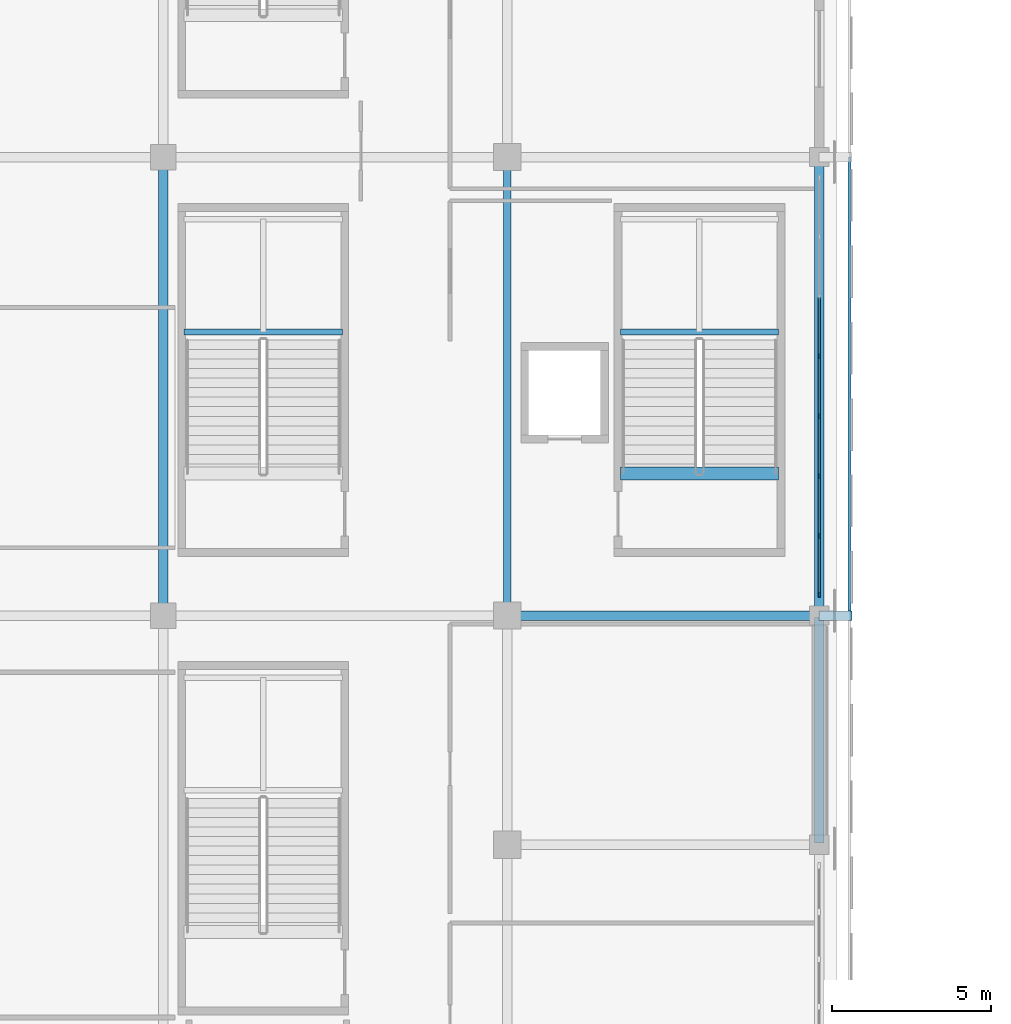
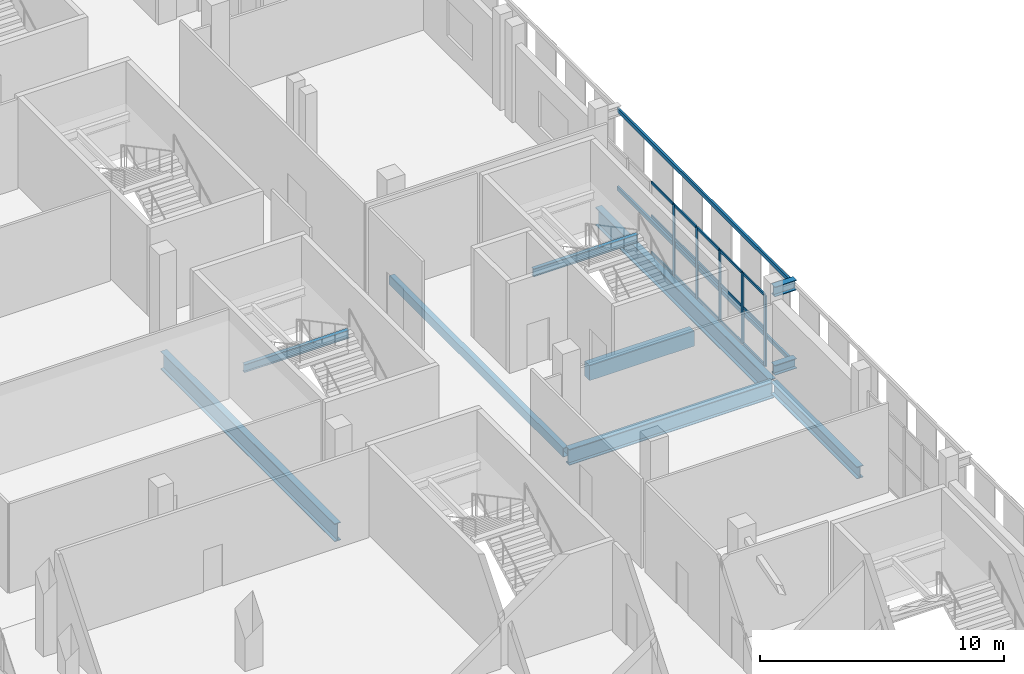
# One storey, part 51 of 142: 22 members, 10 beams, 1 element without a shape of its own.
"""IFC4 building model written with IfcOpenShell, lengths in metres."""

from ifc_helpers import new_model, si_unit, direction, frame, origin, origin_2d, place, context, subcontext, project, spatial, rectangle, hollow_rectangle, i_section, extrude, material, material_profile, profile_set, type_object, element, aggregate, save


model = new_model("IFC4")

# Units and contexts
model_context = context("Model", 3, precision=1e-05, world=origin(), true_north=direction((0.0, 1.0)))
body_context = subcontext(model_context, "Body", "Model", "MODEL_VIEW")
ifc_project = project(units=[si_unit("LENGTHUNIT", "METRE"), si_unit("AREAUNIT", "SQUARE_METRE"), si_unit("VOLUMEUNIT", "CUBIC_METRE"), si_unit("PLANEANGLEUNIT", "RADIAN"), si_unit("MASSUNIT", "GRAM", prefix="KILO")], contexts=[model_context])

# Site, building, storey
site_placement = place(None, origin())
site = spatial("IfcSite", under=ifc_project, at=site_placement, CompositionType="ELEMENT")
building_placement = place(site_placement, origin())
building = spatial("IfcBuilding", under=site, at=building_placement, Name="Koshinbarg Plaza Stadium", CompositionType="ELEMENT")
storey_placement = place(building_placement, frame((0.0, 0.0, 10.199951171875)))
storey = spatial("IfcBuildingStorey", under=building, at=storey_placement, Name="L02", CompositionType="ELEMENT", Elevation=10.199951171875)

# Beams
ifc_material_1 = material(Name="Steel S355", Category="steel")
ifc_material_profile_1 = material_profile(ifc_material_1, i_section(OverallWidth=0.300048828125, OverallDepth=0.5, WebThickness=0.014404296875, FlangeThickness=0.028076171875, at=origin_2d()), Name="HEB 500")
ifc_profile_set_1 = profile_set([ifc_material_profile_1], Name="Steel S355")
beam_type_1 = type_object("IfcBeamType", Name="BM-CANOPY-CANT", PredefinedType="BEAM", material=ifc_profile_set_1)
for number, where, z_axis, x_axis, name in (
    (1, (218.39990234375, 54.300048828125, 0.25), (1.0, 0.0, 0.0), (0.0, 1.0, 0.0), "Outer screen cantilever outrigger E-L02-Y03"),
    (2, (218.39990234375, 54.300048828125, 4.179931640625), (1.0, 0.0, 0.0), (0.0, 1.0, 0.0), "Outer screen cantilever outrigger E-L02-Y03"),
):
    element("IfcBeam", number, at=place(storey_placement, frame(where, z_axis=z_axis, x_axis=x_axis)), inside=storey, type_object=beam_type_1, Name=name, PredefinedType="BEAM", context=body_context, shape_type="SweptSolid", body=[
        extrude(i_section(OverallWidth=0.300048828125, OverallDepth=0.5, WebThickness=0.014404296875, FlangeThickness=0.028076171875, at=origin_2d()), origin(), (0.0, 0.0, 1.0), 1.030029296875),
    ])
ifc_material_2 = material(Name="Concrete C40/50", Category="concrete")
ifc_material_profile_2 = material_profile(ifc_material_2, rectangle(XDim=0.39990234375, YDim=0.75, at=origin_2d()), Name="RC 400x750")
ifc_profile_set_2 = profile_set([ifc_material_profile_2], Name="Concrete C40/50")
beam_type_2 = type_object("IfcBeamType", Name="BM-RCG-03", PredefinedType="USERDEFINED", material=ifc_profile_set_2)
beam_1_placement = place(storey_placement, frame((212.14990234375, 58.760009765625, -0.375), z_axis=(1.0, 0.0, 0.0), x_axis=(0.0, 1.0, 0.0)))
element("IfcBeam", 3, at=beam_1_placement, inside=storey, type_object=beam_type_2, Name="L02 stair landing header beam C08", ObjectType="GIRDER", PredefinedType="USERDEFINED", context=body_context, shape_type="SweptSolid", body=[
    extrude(rectangle(XDim=0.39990234375, YDim=0.75, at=origin_2d()), origin(), (0.0, 0.0, 1.0), 4.97021484375),
])
ifc_material_profile_3 = material_profile(ifc_material_1, i_section(OverallWidth=0.179931640625, OverallDepth=0.39990234375, WebThickness=0.008544921875, FlangeThickness=0.013427734375, at=origin_2d()), Name="IPE 400")
ifc_profile_set_3 = profile_set([ifc_material_profile_3], Name="Steel S355")
beam_type_3 = type_object("IfcBeamType", Name="BM-SBM-01", PredefinedType="BEAM", material=ifc_profile_set_3)
beam_2_placement = place(storey_placement, frame((212.14990234375, 63.2099609375, 1.880126953125), z_axis=(1.0, 0.0, 0.0), x_axis=(0.0, 1.0, 0.0)))
element("IfcBeam", 4, at=beam_2_placement, inside=storey, type_object=beam_type_3, Name="L02 Protected Exit Stair C08 landing trimmer beam 1", PredefinedType="BEAM", context=body_context, shape_type="SweptSolid", body=[
    extrude(i_section(OverallWidth=0.179931640625, OverallDepth=0.39990234375, WebThickness=0.008544921875, FlangeThickness=0.013427734375, at=origin_2d()), origin(), (0.0, 0.0, 1.0), 4.97021484375),
])
beam_3_placement = place(storey_placement, frame((198.449951171875, 63.2099609375, 1.880126953125), z_axis=(1.0, 0.0, 0.0), x_axis=(0.0, 1.0, 0.0)))
element("IfcBeam", 5, at=beam_3_placement, inside=storey, type_object=beam_type_3, Name="L02 Upper Vomitory Stair VX09 landing trimmer beam 1", PredefinedType="BEAM", context=body_context, shape_type="SweptSolid", body=[
    extrude(i_section(OverallWidth=0.179931640625, OverallDepth=0.39990234375, WebThickness=0.008544921875, FlangeThickness=0.013427734375, at=origin_2d()), origin(), (0.0, 0.0, 1.0), 4.969970703125),
])
ifc_material_profile_4 = material_profile(ifc_material_1, i_section(OverallWidth=0.300048828125, OverallDepth=0.60009765625, WebThickness=0.015380859375, FlangeThickness=0.030029296875, at=origin_2d()), Name="HEB 600")
ifc_profile_set_4 = profile_set([ifc_material_profile_4], Name="Steel S355")
beam_type_4 = type_object("IfcBeamType", Name="BM-SGIR-02", PredefinedType="USERDEFINED", material=ifc_profile_set_4)
beam_4_placement = place(storey_placement, frame((218.39990234375, 47.159912109375, -0.599853515625), z_axis=(0.0, 1.0, 0.0), x_axis=(-1.0, 0.0, 0.0)))
element("IfcBeam", 6, at=beam_4_placement, inside=storey, type_object=beam_type_4, Name="L02 Y girder 21/G-H", ObjectType="GIRDER", PredefinedType="USERDEFINED", context=body_context, shape_type="SweptSolid", body=[
    extrude(i_section(OverallWidth=0.300048828125, OverallDepth=0.60009765625, WebThickness=0.015380859375, FlangeThickness=0.030029296875, at=origin_2d()), origin(), (0.0, 0.0, 1.0), 7.080078125),
])
ifc_material_profile_5 = material_profile(ifc_material_1, i_section(OverallWidth=0.300048828125, OverallDepth=0.800048828125, WebThickness=0.017578125, FlangeThickness=0.032958984375, at=origin_2d()), Name="HEB 800")
ifc_profile_set_5 = profile_set([ifc_material_profile_5], Name="Steel S355")
beam_type_5 = type_object("IfcBeamType", Name="BM-SGIR-04", PredefinedType="USERDEFINED", material=ifc_profile_set_5)
beam_5_placement = place(storey_placement, frame((208.659912109375, 54.300048828125, -0.699951171875), z_axis=(1.0, 0.0, 0.0), x_axis=(0.0, 1.0, 0.0)))
element("IfcBeam", 7, at=beam_5_placement, inside=storey, type_object=beam_type_5, Name="L02 X girder H/20-21", ObjectType="GIRDER", PredefinedType="USERDEFINED", context=body_context, shape_type="SweptSolid", body=[
    extrude(i_section(OverallWidth=0.300048828125, OverallDepth=0.800048828125, WebThickness=0.017578125, FlangeThickness=0.032958984375, at=origin_2d()), origin(), (0.0, 0.0, 1.0), 9.68017578125),
])
ifc_material_profile_6 = material_profile(ifc_material_1, i_section(OverallWidth=0.300048828125, OverallDepth=0.89990234375, WebThickness=0.0185546875, FlangeThickness=0.034912109375, at=origin_2d()), Name="HEB 900")
ifc_profile_set_6 = profile_set([ifc_material_profile_6], Name="Steel S355")
beam_type_6 = type_object("IfcBeamType", Name="BM-SGIR-05", PredefinedType="USERDEFINED", material=ifc_profile_set_6)
for number, where, z_axis, x_axis, name in (
    (8, (197.800048828125, 54.360107421875, -0.75), (0.0, 1.0, 0.0), (-1.0, 0.0, 0.0), "L02 Y girder 19/H-J"),
    (9, (218.39990234375, 54.360107421875, -0.75), (0.0, 1.0, 0.0), (-1.0, 0.0, 0.0), "L02 Y girder 21/H-J"),
):
    element("IfcBeam", number, at=place(storey_placement, frame(where, z_axis=z_axis, x_axis=x_axis)), inside=storey, type_object=beam_type_6, Name=name, ObjectType="GIRDER", PredefinedType="USERDEFINED", context=body_context, shape_type="SweptSolid", body=[
        extrude(i_section(OverallWidth=0.300048828125, OverallDepth=0.89990234375, WebThickness=0.0185546875, FlangeThickness=0.034912109375, at=origin_2d()), origin(), (0.0, 0.0, 1.0), 14.27978515625),
    ])
ifc_material_profile_7 = material_profile(ifc_material_1, hollow_rectangle(XDim=0.25, YDim=0.449951171875, WallThickness=0.01611328125, at=origin_2d()), Name="RHS 450x250x16")
ifc_profile_set_7 = profile_set([ifc_material_profile_7], Name="Steel S355")
beam_type_7 = type_object("IfcBeamType", Name="BM-SGIR-06", PredefinedType="USERDEFINED", material=ifc_profile_set_7)
beam_6_placement = place(storey_placement, frame((208.60009765625, 54.360107421875, -0.52490234375), z_axis=(0.0, 1.0, 0.0), x_axis=(-1.0, 0.0, 0.0)))
element("IfcBeam", 10, at=beam_6_placement, inside=storey, type_object=beam_type_7, Name="L02 Y girder 20/H-J", ObjectType="GIRDER", PredefinedType="USERDEFINED", context=body_context, shape_type="SweptSolid", body=[
    extrude(hollow_rectangle(XDim=0.25, YDim=0.449951171875, WallThickness=0.01611328125, at=origin_2d()), origin(), (0.0, 0.0, 1.0), 14.27978515625),
])

# Curtain wall, members
ifc_material_3 = material(Name="Thermally broken anodised aluminium and low-E double glazing", Category="aluminium")
curtain_wall_type = type_object("IfcCurtainWallType", Name="CW-SYS-10", PredefinedType="NOTDEFINED", material=ifc_material_3)
curtain_wall_placement = place(storey_placement, origin())
curtain_wall = element("IfcCurtainWall", 11, at=curtain_wall_placement, inside=storey, type_object=curtain_wall_type, Name="L02 unitised curtain wall CW-L02-057", PredefinedType="NOTDEFINED")
ifc_material_4 = material(Name="Anodised aluminium mullion", Category="aluminium")
ifc_material_profile_8 = material_profile(ifc_material_4, rectangle(XDim=0.06005859375, YDim=0.159912109375, at=origin_2d()), Name="ALU 60x160")
ifc_profile_set_8 = profile_set([ifc_material_profile_8], Name="Anodised aluminium mullion")
member_type_1 = type_object("IfcMemberType", Name="CW-MUL-02", PredefinedType="MULLION", material=ifc_profile_set_8)
member_1_placement = place(storey_placement, frame((218.39990234375, 62.43994140625, 0.0), z_axis=(0.0, 0.0, 1.0), x_axis=(1.0, 0.0, 0.0)))
member_1 = element("IfcMember", 12, at=member_1_placement, type_object=member_type_1, Name="CW10 mullion 4", PredefinedType="MULLION", context=body_context, shape_type="SweptSolid", body=[
    extrude(rectangle(XDim=0.06005859375, YDim=0.159912109375, at=origin_2d()), origin(), (0.0, 0.0, 1.0), 3.56005859375),
])
member_2_placement = place(storey_placement, frame((218.39990234375, 60.56005859375, 0.0), z_axis=(0.0, 0.0, 1.0), x_axis=(1.0, 0.0, 0.0)))
member_2 = element("IfcMember", 13, at=member_2_placement, type_object=member_type_1, Name="CW10 mullion 5", PredefinedType="MULLION", context=body_context, shape_type="SweptSolid", body=[
    extrude(rectangle(XDim=0.06005859375, YDim=0.159912109375, at=origin_2d()), origin(), (0.0, 0.0, 1.0), 3.56005859375),
])
member_3_placement = place(storey_placement, frame((218.39990234375, 58.679931640625, 0.0), z_axis=(0.0, 0.0, 1.0), x_axis=(1.0, 0.0, 0.0)))
member_3 = element("IfcMember", 14, at=member_3_placement, type_object=member_type_1, Name="CW10 mullion 6", PredefinedType="MULLION", context=body_context, shape_type="SweptSolid", body=[
    extrude(rectangle(XDim=0.06005859375, YDim=0.159912109375, at=origin_2d()), origin(), (0.0, 0.0, 1.0), 3.56005859375),
])
member_4_placement = place(storey_placement, frame((218.39990234375, 56.800048828125, 0.0), z_axis=(0.0, 0.0, 1.0), x_axis=(1.0, 0.0, 0.0)))
member_4 = element("IfcMember", 15, at=member_4_placement, type_object=member_type_1, Name="CW10 mullion 7", PredefinedType="MULLION", context=body_context, shape_type="SweptSolid", body=[
    extrude(rectangle(XDim=0.06005859375, YDim=0.159912109375, at=origin_2d()), origin(), (0.0, 0.0, 1.0), 3.56005859375),
])
member_5_placement = place(storey_placement, frame((218.39990234375, 54.949951171875, 0.0), z_axis=(0.0, 0.0, 1.0), x_axis=(1.0, 0.0, 0.0)))
member_5 = element("IfcMember", 16, at=member_5_placement, type_object=member_type_1, Name="CW10 mullion 8", PredefinedType="MULLION", context=body_context, shape_type="SweptSolid", body=[
    extrude(rectangle(XDim=0.06005859375, YDim=0.159912109375, at=origin_2d()), origin(), (0.0, 0.0, 1.0), 3.56005859375),
])
ifc_material_5 = material(Name="Anodised aluminium transom", Category="aluminium")
ifc_material_profile_9 = material_profile(ifc_material_5, rectangle(XDim=0.06005859375, YDim=0.1298828125, at=origin_2d()), Name="ALU 60x130")
ifc_profile_set_9 = profile_set([ifc_material_profile_9], Name="Anodised aluminium transom")
member_type_2 = type_object("IfcMemberType", Name="CW-TRN-02", PredefinedType="USERDEFINED", material=ifc_profile_set_9)
member_6_placement = place(storey_placement, frame((218.39990234375, 64.2900390625, 0.030029296875), z_axis=(0.0, -1.0, 0.0), x_axis=(1.0, 0.0, 0.0)))
member_6 = element("IfcMember", 17, at=member_6_placement, type_object=member_type_2, Name="CW10 transom 3.1", ObjectType="TRANSOM", PredefinedType="USERDEFINED", context=body_context, shape_type="SweptSolid", body=[
    extrude(rectangle(XDim=0.06005859375, YDim=0.1298828125, at=origin_2d()), origin(), (0.0, 0.0, 1.0), 1.820068359375),
])
member_7_placement = place(storey_placement, frame((218.39990234375, 64.2900390625, 1.851318359375), z_axis=(0.0, -1.0, 0.0), x_axis=(1.0, 0.0, 0.0)))
member_7 = element("IfcMember", 18, at=member_7_placement, type_object=member_type_2, Name="CW10 transom 3.2", ObjectType="TRANSOM", PredefinedType="USERDEFINED", context=body_context, shape_type="SweptSolid", body=[
    extrude(rectangle(XDim=0.06005859375, YDim=0.1298828125, at=origin_2d()), origin(), (0.0, 0.0, 1.0), 1.820068359375),
])
member_8_placement = place(storey_placement, frame((218.39990234375, 64.2900390625, 3.530029296875), z_axis=(0.0, -1.0, 0.0), x_axis=(1.0, 0.0, 0.0)))
member_8 = element("IfcMember", 19, at=member_8_placement, type_object=member_type_2, Name="CW10 transom 3.3", ObjectType="TRANSOM", PredefinedType="USERDEFINED", context=body_context, shape_type="SweptSolid", body=[
    extrude(rectangle(XDim=0.06005859375, YDim=0.1298828125, at=origin_2d()), origin(), (0.0, 0.0, 1.0), 1.820068359375),
])
member_9_placement = place(storey_placement, frame((218.39990234375, 62.409912109375, 0.030029296875), z_axis=(0.0, -1.0, 0.0), x_axis=(1.0, 0.0, 0.0)))
member_9 = element("IfcMember", 20, at=member_9_placement, type_object=member_type_2, Name="CW10 transom 4.1", ObjectType="TRANSOM", PredefinedType="USERDEFINED", context=body_context, shape_type="SweptSolid", body=[
    extrude(rectangle(XDim=0.06005859375, YDim=0.1298828125, at=origin_2d()), origin(), (0.0, 0.0, 1.0), 1.81982421875),
])
member_10_placement = place(storey_placement, frame((218.39990234375, 62.409912109375, 1.851318359375), z_axis=(0.0, -1.0, 0.0), x_axis=(1.0, 0.0, 0.0)))
member_10 = element("IfcMember", 21, at=member_10_placement, type_object=member_type_2, Name="CW10 transom 4.2", ObjectType="TRANSOM", PredefinedType="USERDEFINED", context=body_context, shape_type="SweptSolid", body=[
    extrude(rectangle(XDim=0.06005859375, YDim=0.1298828125, at=origin_2d()), origin(), (0.0, 0.0, 1.0), 1.81982421875),
])
member_11_placement = place(storey_placement, frame((218.39990234375, 62.409912109375, 3.530029296875), z_axis=(0.0, -1.0, 0.0), x_axis=(1.0, 0.0, 0.0)))
member_11 = element("IfcMember", 22, at=member_11_placement, type_object=member_type_2, Name="CW10 transom 4.3", ObjectType="TRANSOM", PredefinedType="USERDEFINED", context=body_context, shape_type="SweptSolid", body=[
    extrude(rectangle(XDim=0.06005859375, YDim=0.1298828125, at=origin_2d()), origin(), (0.0, 0.0, 1.0), 1.81982421875),
])
member_12_placement = place(storey_placement, frame((218.39990234375, 60.530029296875, 0.030029296875), z_axis=(0.0, -1.0, 0.0), x_axis=(1.0, 0.0, 0.0)))
member_12 = element("IfcMember", 23, at=member_12_placement, type_object=member_type_2, Name="CW10 transom 5.1", ObjectType="TRANSOM", PredefinedType="USERDEFINED", context=body_context, shape_type="SweptSolid", body=[
    extrude(rectangle(XDim=0.06005859375, YDim=0.1298828125, at=origin_2d()), origin(), (0.0, 0.0, 1.0), 1.820068359375),
])
member_13_placement = place(storey_placement, frame((218.39990234375, 60.530029296875, 1.851318359375), z_axis=(0.0, -1.0, 0.0), x_axis=(1.0, 0.0, 0.0)))
member_13 = element("IfcMember", 24, at=member_13_placement, type_object=member_type_2, Name="CW10 transom 5.2", ObjectType="TRANSOM", PredefinedType="USERDEFINED", context=body_context, shape_type="SweptSolid", body=[
    extrude(rectangle(XDim=0.06005859375, YDim=0.1298828125, at=origin_2d()), origin(), (0.0, 0.0, 1.0), 1.820068359375),
])
member_14_placement = place(storey_placement, frame((218.39990234375, 60.530029296875, 3.530029296875), z_axis=(0.0, -1.0, 0.0), x_axis=(1.0, 0.0, 0.0)))
member_14 = element("IfcMember", 25, at=member_14_placement, type_object=member_type_2, Name="CW10 transom 5.3", ObjectType="TRANSOM", PredefinedType="USERDEFINED", context=body_context, shape_type="SweptSolid", body=[
    extrude(rectangle(XDim=0.06005859375, YDim=0.1298828125, at=origin_2d()), origin(), (0.0, 0.0, 1.0), 1.820068359375),
])
member_15_placement = place(storey_placement, frame((218.39990234375, 58.64990234375, 0.030029296875), z_axis=(0.0, -1.0, 0.0), x_axis=(1.0, 0.0, 0.0)))
member_15 = element("IfcMember", 26, at=member_15_placement, type_object=member_type_2, Name="CW10 transom 6.1", ObjectType="TRANSOM", PredefinedType="USERDEFINED", context=body_context, shape_type="SweptSolid", body=[
    extrude(rectangle(XDim=0.06005859375, YDim=0.1298828125, at=origin_2d()), origin(), (0.0, 0.0, 1.0), 1.81982421875),
])
member_16_placement = place(storey_placement, frame((218.39990234375, 58.64990234375, 1.851318359375), z_axis=(0.0, -1.0, 0.0), x_axis=(1.0, 0.0, 0.0)))
member_16 = element("IfcMember", 27, at=member_16_placement, type_object=member_type_2, Name="CW10 transom 6.2", ObjectType="TRANSOM", PredefinedType="USERDEFINED", context=body_context, shape_type="SweptSolid", body=[
    extrude(rectangle(XDim=0.06005859375, YDim=0.1298828125, at=origin_2d()), origin(), (0.0, 0.0, 1.0), 1.81982421875),
])
member_17_placement = place(storey_placement, frame((218.39990234375, 58.64990234375, 3.530029296875), z_axis=(0.0, -1.0, 0.0), x_axis=(1.0, 0.0, 0.0)))
member_17 = element("IfcMember", 28, at=member_17_placement, type_object=member_type_2, Name="CW10 transom 6.3", ObjectType="TRANSOM", PredefinedType="USERDEFINED", context=body_context, shape_type="SweptSolid", body=[
    extrude(rectangle(XDim=0.06005859375, YDim=0.1298828125, at=origin_2d()), origin(), (0.0, 0.0, 1.0), 1.81982421875),
])
member_18_placement = place(storey_placement, frame((218.39990234375, 56.77001953125, 0.030029296875), z_axis=(0.0, -1.0, 0.0), x_axis=(1.0, 0.0, 0.0)))
member_18 = element("IfcMember", 29, at=member_18_placement, type_object=member_type_2, Name="CW10 transom 7.1", ObjectType="TRANSOM", PredefinedType="USERDEFINED", context=body_context, shape_type="SweptSolid", body=[
    extrude(rectangle(XDim=0.06005859375, YDim=0.1298828125, at=origin_2d()), origin(), (0.0, 0.0, 1.0), 1.7900390625),
])
member_19_placement = place(storey_placement, frame((218.39990234375, 56.77001953125, 1.851318359375), z_axis=(0.0, -1.0, 0.0), x_axis=(1.0, 0.0, 0.0)))
member_19 = element("IfcMember", 30, at=member_19_placement, type_object=member_type_2, Name="CW10 transom 7.2", ObjectType="TRANSOM", PredefinedType="USERDEFINED", context=body_context, shape_type="SweptSolid", body=[
    extrude(rectangle(XDim=0.06005859375, YDim=0.1298828125, at=origin_2d()), origin(), (0.0, 0.0, 1.0), 1.7900390625),
])
member_20_placement = place(storey_placement, frame((218.39990234375, 56.77001953125, 3.530029296875), z_axis=(0.0, -1.0, 0.0), x_axis=(1.0, 0.0, 0.0)))
member_20 = element("IfcMember", 31, at=member_20_placement, type_object=member_type_2, Name="CW10 transom 7.3", ObjectType="TRANSOM", PredefinedType="USERDEFINED", context=body_context, shape_type="SweptSolid", body=[
    extrude(rectangle(XDim=0.06005859375, YDim=0.1298828125, at=origin_2d()), origin(), (0.0, 0.0, 1.0), 1.7900390625),
])
aggregate(curtain_wall, [member_1, member_2, member_3, member_4, member_5, member_6, member_7, member_8, member_9, member_10, member_11, member_12, member_13, member_14, member_15, member_16, member_17, member_18, member_19, member_20])

# Members
ifc_material_profile_10 = material_profile(ifc_material_1, hollow_rectangle(XDim=0.10009765625, YDim=0.199951171875, WallThickness=0.008056640625, at=origin_2d()), Name="RHS 200x100x8")
ifc_profile_set_10 = profile_set([ifc_material_profile_10], Name="Steel S355")
member_type_3 = type_object("IfcMemberType", Name="MB-PURL-03", PredefinedType="PURLIN", material=ifc_profile_set_10)
for number, where, z_axis, x_axis, name in (
    (32, (219.35009765625, 54.300048828125, 0.25), (0.0, 1.0, 0.0), (-1.0, 0.0, 0.0), "L02 outer screen subframe rail E-3-BOT"),
    (33, (219.35009765625, 54.300048828125, 4.179931640625), (0.0, 1.0, 0.0), (-1.0, 0.0, 0.0), "L02 outer screen subframe rail E-3-TOP"),
):
    element("IfcMember", number, at=place(storey_placement, frame(where, z_axis=z_axis, x_axis=x_axis)), inside=storey, type_object=member_type_3, Name=name, PredefinedType="PURLIN", context=body_context, shape_type="SweptSolid", body=[
        extrude(hollow_rectangle(XDim=0.10009765625, YDim=0.199951171875, WallThickness=0.008056640625, at=origin_2d()), origin(), (0.0, 0.0, 1.0), 14.39990234375),
    ])

save(model, "model.ifc")
